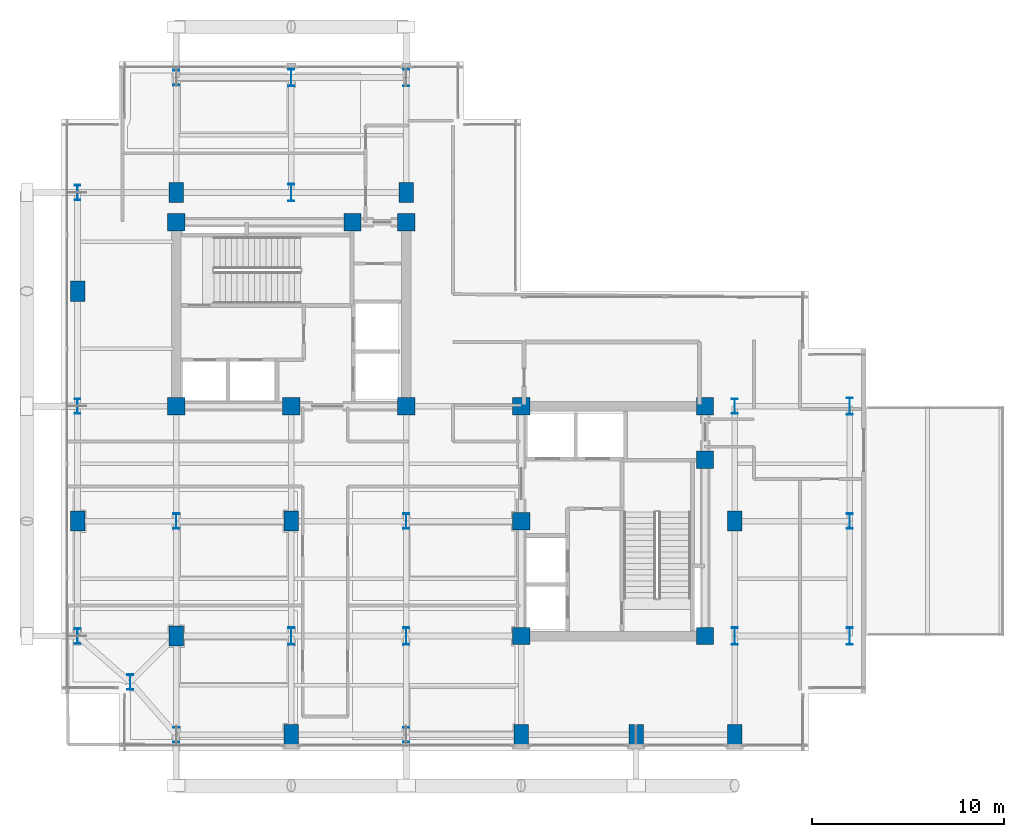
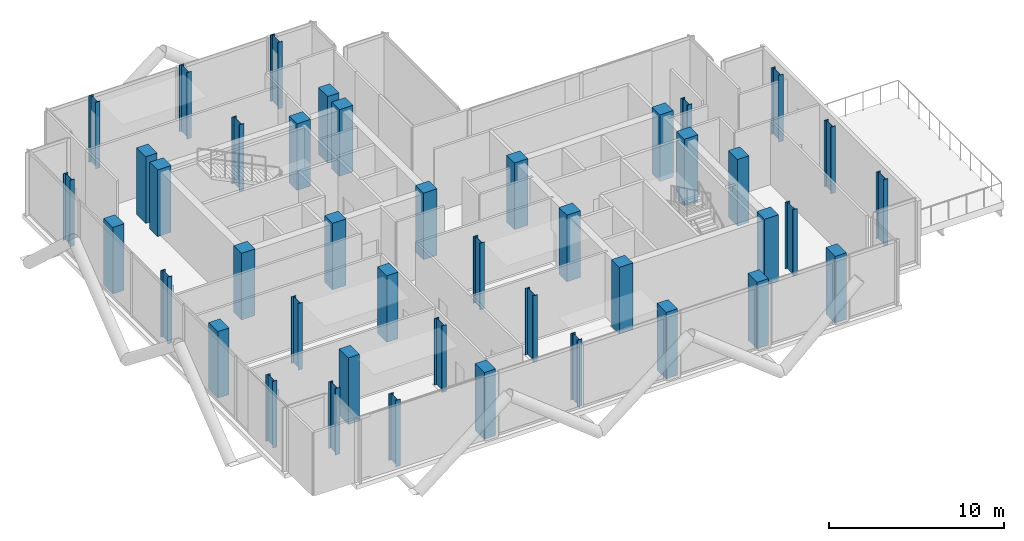
# One storey, part 1 of 19: 42 columns.
"""IFC4 building model written with IfcOpenShell, lengths in metres."""

import ifcopenshell
import ifcopenshell.guid

model = None  # the IFC model being written
_history = None  # IfcOwnerHistory: only IFC2X3 demands one
_inside = {}  # id of a spatial element -> (the spatial element, [elements in it])
_under = {}  # id of a project, library or spatial element -> (it, [spatial elements below it])
_declared = {}  # id of a project -> (the project, [libraries it declares])
_typed = {}  # id of a type object -> (the type object, [elements of that type])
_made_of = {}  # id of a material, layer set ... -> (it, [elements and type objects made of it])


def new_model(schema):
    """Start an empty IFC model of exactly this schema.

    Asked for "IFC4X3", IfcOpenShell would pick the latest addendum, in which some entities
    have other attributes; the version numbers below select the first issue.
    IFC2X3 requires an IfcOwnerHistory on every rooted entity: one is made here for all.
    """
    global model, _history
    if schema == "IFC4X3":
        model = ifcopenshell.file(schema_version=(4, 3, 0, 0))
    else:
        model = ifcopenshell.file(schema=schema)
    _inside.clear()
    _under.clear()
    _declared.clear()
    _typed.clear()
    _made_of.clear()
    _history = None
    if model.schema == "IFC2X3":
        org = make("IfcOrganization", Name="unknown")
        user = make(
            "IfcPersonAndOrganization",
            ThePerson=make("IfcPerson", FamilyName="unknown"),
            TheOrganization=org,
        )
        app = make(
            "IfcApplication",
            ApplicationDeveloper=org,
            Version="unknown",
            ApplicationFullName="unknown",
            ApplicationIdentifier="unknown",
        )
        _history = make(
            "IfcOwnerHistory",
            OwningUser=user,
            OwningApplication=app,
            ChangeAction="ADDED",
            CreationDate=0,
        )
    return model


def make(cls, **values):
    """One entity of the class cls with the attributes given. An attribute that is None is left unset."""
    return model.create_entity(
        cls, **{name: value for name, value in values.items() if value is not None}
    )


def rooted(cls, **values):
    """An entity with a GlobalId (a new one), such as an element, a storey or a relation."""
    return make(cls, GlobalId=ifcopenshell.guid.new(), OwnerHistory=_history, **values)


def si_unit(unit_type, name, prefix=None):
    """IfcSIUnit, for example si_unit("LENGTHUNIT", "METRE", prefix="MILLI")."""
    return make("IfcSIUnit", UnitType=unit_type, Prefix=prefix, Name=name)


def assignment(units):
    """IfcUnitAssignment: the units of a project."""
    return None if units is None else make("IfcUnitAssignment", Units=units)


def point(xyz):
    """IfcCartesianPoint."""
    return None if xyz is None else make("IfcCartesianPoint", Coordinates=xyz)


def direction(xyz):
    """IfcDirection."""
    return None if xyz is None else make("IfcDirection", DirectionRatios=xyz)


def frame(location, z_axis=None, x_axis=None):
    """IfcAxis2Placement3D, a coordinate frame: its origin and axes. An axis left out is left unset."""
    return make(
        "IfcAxis2Placement3D",
        Location=point(location),
        Axis=direction(z_axis),
        RefDirection=direction(x_axis),
    )


def frame_2d(location, x_axis=None):
    """IfcAxis2Placement2D, a coordinate frame in the plane: its origin and x axis."""
    return make(
        "IfcAxis2Placement2D", Location=point(location), RefDirection=direction(x_axis)
    )


def origin():
    """The frame at (0, 0, 0) with its axes left unset."""
    return frame((0.0, 0.0, 0.0))


def origin_2d():
    """The frame at (0, 0) in the plane with its x axis left unset."""
    return frame_2d((0.0, 0.0))


def place(relative_to, where):
    """IfcLocalPlacement: puts the frame where relative to a parent placement (None: the world)."""
    return make(
        "IfcLocalPlacement", PlacementRelTo=relative_to, RelativePlacement=where
    )


def context(
    kind, dimensions, precision=None, world=None, true_north=None, identifier=None
):
    """IfcGeometricRepresentationContext, for example the 3D "Model" context."""
    return make(
        "IfcGeometricRepresentationContext",
        ContextIdentifier=identifier,
        ContextType=kind,
        CoordinateSpaceDimension=dimensions,
        Precision=precision,
        WorldCoordinateSystem=world,
        TrueNorth=true_north,
    )


def subcontext(parent, identifier, kind, view, scale=None):
    """IfcGeometricRepresentationSubContext, for example "Body" below "Model"."""
    return make(
        "IfcGeometricRepresentationSubContext",
        ContextIdentifier=identifier,
        ContextType=kind,
        ParentContext=parent,
        TargetScale=scale,
        TargetView=view,
    )


def project(units=None, contexts=None):
    """IfcProject with its units and contexts."""
    return rooted(
        "IfcProject",
        Name="project",
        RepresentationContexts=contexts,
        UnitsInContext=assignment(units),
    )


def spatial(cls, under=None, at=None, **own):
    """A site, building, storey or space (cls), placed at a placement, below another one or the project."""
    s = rooted(cls, ObjectPlacement=at, **own)
    if under is not None:
        _under.setdefault(under.id(), (under, []))[1].append(s)
    return s


def profile(cls, at=None, kind="AREA", **sizes):
    """A parametric profile (cls). Its sizes go by their IFC names, for example OverallWidth=200.0."""
    return make(cls, ProfileType=kind, Position=at, **sizes)


def rectangle(**sizes):
    """IfcRectangleProfileDef."""
    return profile("IfcRectangleProfileDef", **sizes)


def i_section(**sizes):
    """IfcIShapeProfileDef."""
    return profile("IfcIShapeProfileDef", **sizes)


def extrude(swept, where, along, depth):
    """IfcExtrudedAreaSolid: the profile swept, set in the frame where, extruded along a direction by depth."""
    return make(
        "IfcExtrudedAreaSolid",
        SweptArea=swept,
        Position=where,
        ExtrudedDirection=direction(along),
        Depth=depth,
    )


def shape(context_of_items, identifier, shape_type, items):
    """IfcShapeRepresentation: the items that make up one representation, for example the "Body"."""
    return make(
        "IfcShapeRepresentation",
        ContextOfItems=context_of_items,
        RepresentationIdentifier=identifier,
        RepresentationType=shape_type,
        Items=items,
    )


def material(Name=None, Category=None):
    """IfcMaterial."""
    return make("IfcMaterial", Name=Name, Category=Category)


def material_profile(
    of_material, cross_section, Name=None, Category=None, Priority=None
):
    """IfcMaterialProfile: a cross section and its material."""
    return make(
        "IfcMaterialProfile",
        Name=Name,
        Material=of_material,
        Profile=cross_section,
        Priority=Priority,
        Category=Category,
    )


def profile_set(profiles, Name=None, composite=None):
    """IfcMaterialProfileSet."""
    return make(
        "IfcMaterialProfileSet",
        Name=Name,
        MaterialProfiles=profiles,
        CompositeProfile=composite,
    )


def made_of(thing, what):
    """Note that an element or type object is made of a material, layer set ...; save() writes the relation."""
    if what is not None:
        _made_of.setdefault(what.id(), (what, []))[1].append(thing)
    return thing


def type_object(cls, material=None, **own):
    """A type object (cls), such as IfcWallType, which elements share."""
    return made_of(rooted(cls, **own), material)


def element(
    cls,
    number,
    at=None,
    inside=None,
    cuts=None,
    type_object=None,
    material=None,
    context=None,
    identifier="Body",
    shape_type=None,
    held_by="IfcProductDefinitionShape",
    body=None,
    shapes=None,
    **own,
):
    """One element of the class cls, such as IfcWall. Its Tag is "e" and its number.

    at: its placement. inside: the storey or other place that contains it. cuts: it is an
    opening in that element (IfcRelVoidsElement). A single representation is given by context,
    identifier, shape_type and body (its items); several are given by shapes. held_by: the class
    of the entity that holds the representations. save() writes the other relations.
    """
    e = rooted(cls, Tag="e%d" % number, ObjectPlacement=at, **own)
    if body is not None:
        shapes = [shape(context, identifier, shape_type, body)]
    if shapes is not None:
        e.Representation = make(held_by, Representations=shapes)
    if inside is not None:
        _inside.setdefault(inside.id(), (inside, []))[1].append(e)
    if cuts is not None:
        rooted(
            "IfcRelVoidsElement", RelatingBuildingElement=cuts, RelatedOpeningElement=e
        )
    if type_object is not None:
        _typed.setdefault(type_object.id(), (type_object, []))[1].append(e)
    return made_of(e, material)


def aggregate(whole, parts):
    """IfcRelAggregates: a whole, such as a stair, and the parts it consists of."""
    return rooted("IfcRelAggregates", RelatingObject=whole, RelatedObjects=parts)


def save(model, path):
    """Write the relations noted so far, then the file.

    IfcRelAggregates (storeys below a building ...), IfcRelContainedInSpatialStructure (elements
    in a storey), IfcRelDefinesByType, IfcRelAssociatesMaterial and IfcRelDeclares: one each for
    every whole, place, type object, material and project.
    """
    for whole, parts in _under.values():
        aggregate(whole, parts)
    for where, things in _inside.values():
        rooted(
            "IfcRelContainedInSpatialStructure",
            RelatedElements=things,
            RelatingStructure=where,
        )
    for kind, things in _typed.values():
        rooted("IfcRelDefinesByType", RelatedObjects=things, RelatingType=kind)
    for what, things in _made_of.values():
        rooted("IfcRelAssociatesMaterial", RelatedObjects=things, RelatingMaterial=what)
    for by, libraries in _declared.values():
        rooted("IfcRelDeclares", RelatingContext=by, RelatedDefinitions=libraries)
    model.write(path)


model = new_model("IFC4")

# Units and contexts
model_context = context("Model", 3, precision=1e-05, world=origin(), true_north=direction((0.0, 1.0)))
body_context = subcontext(model_context, "Body", "Model", "MODEL_VIEW")
ifc_project = project(units=[si_unit("LENGTHUNIT", "METRE"), si_unit("AREAUNIT", "SQUARE_METRE"), si_unit("VOLUMEUNIT", "CUBIC_METRE"), si_unit("PLANEANGLEUNIT", "RADIAN"), si_unit("MASSUNIT", "GRAM", prefix="KILO"), si_unit("THERMODYNAMICTEMPERATUREUNIT", "KELVIN"), si_unit("POWERUNIT", "WATT")], contexts=[model_context])

# Site, building, storey
site_placement = place(None, origin())
site = spatial("IfcSite", under=ifc_project, at=site_placement, CompositionType="ELEMENT")
building_placement = place(site_placement, origin())
building = spatial("IfcBuilding", under=site, at=building_placement, Name="Svarakhadi Broadcast Tower", CompositionType="ELEMENT")
storey_placement = place(building_placement, frame((0.0, 0.0, 204.0)))
storey = spatial("IfcBuildingStorey", under=building, at=storey_placement, Name="L50", CompositionType="ELEMENT", Elevation=204.0)

# Columns
ifc_material_1 = material(Name="Concrete C50/60 (IS 456 M60)", Category="concrete")
ifc_material_profile_1 = material_profile(ifc_material_1, rectangle(XDim=0.75, YDim=1.050048828125, at=origin_2d()), Name="RC 750x1050")
ifc_profile_set_1 = profile_set([ifc_material_profile_1], Name="Concrete C50/60 (IS 456 M60)")
column_type_1 = type_object("IfcColumnType", Name="Col_RC750", PredefinedType="COLUMN", material=ifc_profile_set_1)
for number, where, z_axis, x_axis, name in (
    (1, (0.85009765625, 12.0, 0.0), (0.0, 0.0, 1.0), (1.0, 0.0, 0.0), "L50 Column G04"),
    (2, (0.85009765625, 24.0, 0.0), (0.0, 0.0, 1.0), (1.0, 0.0, 0.0), "L50 Column G06"),
    (3, (6.0, 6.0, 0.0), (0.0, 0.0, 1.0), (1.0, 0.0, 0.0), "L50 Column G12"),
    (4, (6.0, 29.14990234375, 0.0), (0.0, 0.0, 1.0), (1.0, 0.0, 0.0), "L50 Column G14"),
    (5, (12.0, 0.85009765625, 0.0), (0.0, 0.0, 1.0), (1.0, 0.0, 0.0), "L50 Column G18"),
    (6, (12.0, 12.0, 0.0), (0.0, 0.0, 1.0), (1.0, 0.0, 0.0), "L50 Column G20"),
    (7, (18.0, 29.14990234375, 0.0), (0.0, 0.0, 1.0), (1.0, 0.0, 0.0), "L50 Column G28"),
    (8, (24.0, 0.85009765625, 0.0), (0.0, 0.0, 1.0), (1.0, 0.0, 0.0), "L50 Column G32"),
    (9, (30.0, 0.85009765625, 0.0), (0.0, 0.0, 1.0), (1.0, 0.0, 0.0), "L50 Column G36"),
    (10, (35.14990234375, 0.85009765625, 0.0), (0.0, 0.0, 1.0), (1.0, 0.0, 0.0), "L50 Column G38"),
    (11, (35.14990234375, 12.0, 0.0), (0.0, 0.0, 1.0), (1.0, 0.0, 0.0), "L50 Column G40"),
):
    element("IfcColumn", number, at=place(storey_placement, frame(where, z_axis=z_axis, x_axis=x_axis)), inside=storey, type_object=column_type_1, Name=name, PredefinedType="COLUMN", context=body_context, shape_type="SweptSolid", body=[
        extrude(rectangle(XDim=0.75, YDim=1.050048828125, at=origin_2d()), origin(), (0.0, 0.0, 1.0), 4.64990234375),
    ])
ifc_material_profile_2 = material_profile(ifc_material_1, rectangle(XDim=0.89990234375, YDim=0.89990234375, at=origin_2d()), Name="RC 900x900")
ifc_profile_set_2 = profile_set([ifc_material_profile_2], Name="Concrete C50/60 (IS 456 M60)")
column_type_2 = type_object("IfcColumnType", Name="Col_RC900", PredefinedType="COLUMN", material=ifc_profile_set_2)
for number, where, z_axis, x_axis, name in (
    (12, (6.0, 18.0, 0.0), (0.0, 0.0, 1.0), (1.0, 0.0, 0.0), "L50 Column CW1"),
    (13, (12.0, 18.0, 0.0), (0.0, 0.0, 1.0), (1.0, 0.0, 0.0), "L50 Column CW2"),
    (14, (18.0, 18.0, 0.0), (0.0, 0.0, 1.0), (1.0, 0.0, 0.0), "L50 Column CW3"),
    (15, (6.0, 27.60009765625, 0.0), (0.0, 0.0, 1.0), (1.0, 0.0, 0.0), "L50 Column CW4"),
    (16, (15.199951171875, 27.60009765625, 0.0), (0.0, 0.0, 1.0), (1.0, 0.0, 0.0), "L50 Column CW5"),
    (17, (18.0, 27.60009765625, 0.0), (0.0, 0.0, 1.0), (1.0, 0.0, 0.0), "L50 Column CW6"),
    (18, (24.0, 6.0, 0.0), (0.0, 0.0, 1.0), (1.0, 0.0, 0.0), "L50 Column CE1"),
    (19, (24.0, 12.0, 0.0), (0.0, 0.0, 1.0), (1.0, 0.0, 0.0), "L50 Column CE2"),
    (20, (24.0, 18.0, 0.0), (0.0, 0.0, 1.0), (1.0, 0.0, 0.0), "L50 Column CE3"),
    (21, (33.60009765625, 6.0, 0.0), (0.0, 0.0, 1.0), (1.0, 0.0, 0.0), "L50 Column CE4"),
    (22, (33.60009765625, 15.199951171875, 0.0), (0.0, 0.0, 1.0), (1.0, 0.0, 0.0), "L50 Column CE5"),
    (23, (33.60009765625, 18.0, 0.0), (0.0, 0.0, 1.0), (1.0, 0.0, 0.0), "L50 Column CE6"),
):
    element("IfcColumn", number, at=place(storey_placement, frame(where, z_axis=z_axis, x_axis=x_axis)), inside=storey, type_object=column_type_2, Name=name, PredefinedType="COLUMN", context=body_context, shape_type="SweptSolid", body=[
        extrude(rectangle(XDim=0.89990234375, YDim=0.89990234375, at=origin_2d()), origin(), (0.0, 0.0, 1.0), 4.64990234375),
    ])
ifc_material_2 = material(Name="Steel S460ML (IS 2062 E450BR)", Category="steel")
ifc_material_profile_3 = material_profile(ifc_material_2, i_section(OverallWidth=0.300048828125, OverallDepth=0.800048828125, WebThickness=0.017578125, FlangeThickness=0.032958984375, FilletRadius=0.030029296875, at=origin_2d()), Name="WPB 800x300x262")
ifc_profile_set_3 = profile_set([ifc_material_profile_3], Name="Steel S460ML (IS 2062 E450BR)")
column_type_3 = type_object("IfcColumnType", Name="Col_WPB800", PredefinedType="COLUMN", material=ifc_profile_set_3)
for number, where, z_axis, x_axis, name in (
    (24, (3.60009765625, 3.60009765625, 0.0), (0.0, 0.0, 1.0), (1.0, 0.0, 0.0), "L50 Column G01"),
    (25, (0.85009765625, 6.0, 0.0), (0.0, 0.0, 1.0), (1.0, 0.0, 0.0), "L50 Column G03"),
    (26, (0.85009765625, 18.0, 0.0), (0.0, 0.0, 1.0), (1.0, 0.0, 0.0), "L50 Column G05"),
    (27, (0.85009765625, 29.14990234375, 0.0), (0.0, 0.0, 1.0), (1.0, 0.0, 0.0), "L50 Column G07"),
    (28, (6.0, 0.85009765625, 0.0), (0.0, 0.0, 1.0), (1.0, 0.0, 0.0), "L50 Column G11"),
    (29, (6.0, 12.0, 0.0), (0.0, 0.0, 1.0), (1.0, 0.0, 0.0), "L50 Column G13"),
    (30, (6.0, 35.14990234375, 0.0), (0.0, 0.0, 1.0), (1.0, 0.0, 0.0), "L50 Column G15"),
    (31, (18.0, 0.85009765625, 0.0), (0.0, 0.0, 1.0), (1.0, 0.0, 0.0), "L50 Column G25"),
    (32, (18.0, 12.0, 0.0), (0.0, 0.0, 1.0), (1.0, 0.0, 0.0), "L50 Column G27"),
    (33, (35.14990234375, 18.0, 0.0), (0.0, 0.0, 1.0), (1.0, 0.0, 0.0), "L50 Column G41"),
    (34, (41.14990234375, 12.0, 0.0), (0.0, 0.0, 1.0), (1.0, 0.0, 0.0), "L50 Column G45"),
):
    element("IfcColumn", number, at=place(storey_placement, frame(where, z_axis=z_axis, x_axis=x_axis)), inside=storey, type_object=column_type_3, Name=name, PredefinedType="COLUMN", context=body_context, shape_type="SweptSolid", body=[
        extrude(i_section(OverallWidth=0.300048828125, OverallDepth=0.800048828125, WebThickness=0.017578125, FlangeThickness=0.032958984375, FilletRadius=0.030029296875, at=origin_2d()), origin(), (0.0, 0.0, 1.0), 4.64990234375),
    ])
ifc_material_profile_4 = material_profile(ifc_material_2, i_section(OverallWidth=0.300048828125, OverallDepth=0.89990234375, WebThickness=0.0185546875, FlangeThickness=0.034912109375, FilletRadius=0.030029296875, at=origin_2d()), Name="WPB 900x300x291")
ifc_profile_set_4 = profile_set([ifc_material_profile_4], Name="Steel S460ML (IS 2062 E450BR)")
column_type_4 = type_object("IfcColumnType", Name="Col_WPB900", PredefinedType="COLUMN", material=ifc_profile_set_4)
for number, where, z_axis, x_axis, name in (
    (35, (12.0, 6.0, 0.0), (0.0, 0.0, 1.0), (1.0, 0.0, 0.0), "L50 Column G19"),
    (36, (12.0, 29.14990234375, 0.0), (0.0, 0.0, 1.0), (1.0, 0.0, 0.0), "L50 Column G21"),
    (37, (12.0, 35.14990234375, 0.0), (0.0, 0.0, 1.0), (1.0, 0.0, 0.0), "L50 Column G22"),
    (38, (18.0, 6.0, 0.0), (0.0, 0.0, 1.0), (1.0, 0.0, 0.0), "L50 Column G26"),
    (39, (18.0, 35.14990234375, 0.0), (0.0, 0.0, 1.0), (1.0, 0.0, 0.0), "L50 Column G29"),
    (40, (35.14990234375, 6.0, 0.0), (0.0, 0.0, 1.0), (1.0, 0.0, 0.0), "L50 Column G39"),
    (41, (41.14990234375, 6.0, 0.0), (0.0, 0.0, 1.0), (1.0, 0.0, 0.0), "L50 Column G44"),
    (42, (41.14990234375, 18.0, 0.0), (0.0, 0.0, 1.0), (1.0, 0.0, 0.0), "L50 Column G46"),
):
    element("IfcColumn", number, at=place(storey_placement, frame(where, z_axis=z_axis, x_axis=x_axis)), inside=storey, type_object=column_type_4, Name=name, PredefinedType="COLUMN", context=body_context, shape_type="SweptSolid", body=[
        extrude(i_section(OverallWidth=0.300048828125, OverallDepth=0.89990234375, WebThickness=0.0185546875, FlangeThickness=0.034912109375, FilletRadius=0.030029296875, at=origin_2d()), origin(), (0.0, 0.0, 1.0), 4.64990234375),
    ])

save(model, "model.ifc")
